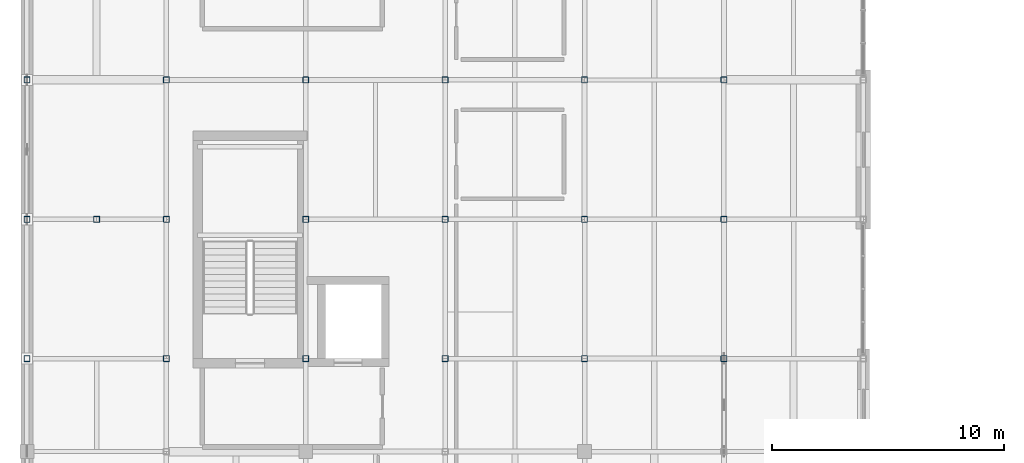
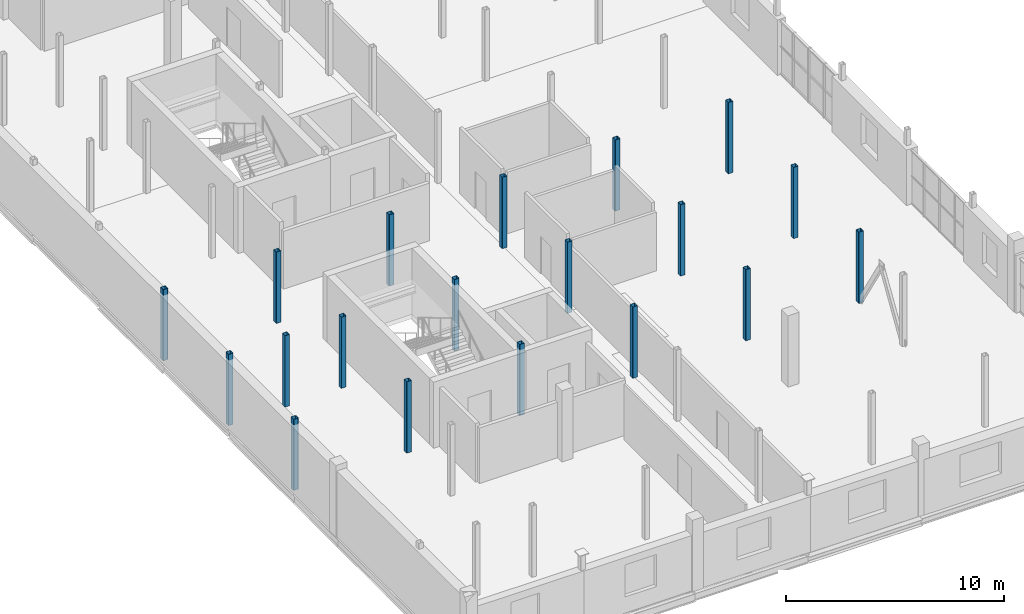
# One storey, part 2 of 35: 19 columns.
"""IFC4 building model written with IfcOpenShell, lengths in metres."""

from ifc_helpers import new_model, si_unit, direction, frame, origin, origin_2d, place, context, subcontext, project, spatial, hollow_rectangle, extrude, material, material_profile, profile_set, type_object, element, save


model = new_model("IFC4")

# Units and contexts
model_context = context("Model", 3, precision=1e-05, world=origin(), true_north=direction((0.0, 1.0)))
body_context = subcontext(model_context, "Body", "Model", "MODEL_VIEW")
ifc_project = project(units=[si_unit("LENGTHUNIT", "METRE"), si_unit("AREAUNIT", "SQUARE_METRE"), si_unit("VOLUMEUNIT", "CUBIC_METRE"), si_unit("PLANEANGLEUNIT", "RADIAN"), si_unit("MASSUNIT", "GRAM", prefix="KILO")], contexts=[model_context])

# Site, building, storey
site_placement = place(None, origin())
site = spatial("IfcSite", under=ifc_project, at=site_placement, CompositionType="ELEMENT")
building_placement = place(site_placement, origin())
building = spatial("IfcBuilding", under=site, at=building_placement, Name="Verrall Gate Interchange", CompositionType="ELEMENT")
storey_placement = place(building_placement, frame((0.0, 0.0, 15.39990234375)))
storey = spatial("IfcBuildingStorey", under=building, at=storey_placement, Name="L04", CompositionType="ELEMENT", Elevation=15.39990234375)

# Columns
ifc_material = material(Name="Structural Steel CSA G40.21 350WT Cat 4", Category="steel")
ifc_material_profile = material_profile(ifc_material, hollow_rectangle(XDim=0.25390625, YDim=0.25390625, WallThickness=0.009521484375, InnerFilletRadius=0.009521484375, OuterFilletRadius=0.01904296875, at=origin_2d()), Name="HSS254x254x9.5")
ifc_profile_set = profile_set([ifc_material_profile], Name="Structural Steel CSA G40.21 350WT Cat 4")
column_type = type_object("IfcColumnType", Name="C-13 Column HSS254x254x9.5", PredefinedType="COLUMN", material=ifc_profile_set)
for number, where, z_axis, x_axis, name in (
    (1, (0.0, 16.0, 0.0), (0.0, 0.0, 1.0), (1.0, 0.0, 0.0), "L04 Column COL-L04-0028 (C-13)"),
    (2, (0.0, 22.0, 0.0), (0.0, 0.0, 1.0), (1.0, 0.0, 0.0), "L04 Column COL-L04-0035 (C-13)"),
    (3, (0.0, 28.0, 0.0), (0.0, 0.0, 1.0), (1.0, 0.0, 0.0), "L04 Column COL-L04-0042 (C-13)"),
    (4, (3.0, 22.0, 0.0), (0.0, 0.0, 1.0), (1.0, 0.0, 0.0), "L04 Column COL-L04-0113 (C-13)"),
    (5, (6.0, 16.0, 0.0), (0.0, 0.0, 1.0), (1.0, 0.0, 0.0), "L04 Column COL-L04-0159 (C-13)"),
    (6, (6.0, 22.0, 0.0), (0.0, 0.0, 1.0), (1.0, 0.0, 0.0), "L04 Column COL-L04-0168 (C-13)"),
    (7, (6.0, 28.0, 0.0), (0.0, 0.0, 1.0), (1.0, 0.0, 0.0), "L04 Column COL-L04-0177 (C-13)"),
    (8, (12.0, 16.0, 0.0), (0.0, 0.0, 1.0), (1.0, 0.0, 0.0), "L04 Column COL-L04-0276 (C-13)"),
    (9, (12.0, 22.0, 0.0), (0.0, 0.0, 1.0), (1.0, 0.0, 0.0), "L04 Column COL-L04-0285 (C-13)"),
    (10, (12.0, 28.0, 0.0), (0.0, 0.0, 1.0), (1.0, 0.0, 0.0), "L04 Column COL-L04-0294 (C-13)"),
    (11, (18.0, 16.0, 0.0), (0.0, 0.0, 1.0), (1.0, 0.0, 0.0), "L04 Column COL-L04-0393 (C-13)"),
    (12, (18.0, 22.0, 0.0), (0.0, 0.0, 1.0), (1.0, 0.0, 0.0), "L04 Column COL-L04-0402 (C-13)"),
    (13, (18.0, 28.0, 0.0), (0.0, 0.0, 1.0), (1.0, 0.0, 0.0), "L04 Column COL-L04-0411 (C-13)"),
    (14, (24.0, 16.0, 0.0), (0.0, 0.0, 1.0), (1.0, 0.0, 0.0), "L04 Column COL-L04-0510 (C-13)"),
    (15, (24.0, 22.0, 0.0), (0.0, 0.0, 1.0), (1.0, 0.0, 0.0), "L04 Column COL-L04-0519 (C-13)"),
    (16, (24.0, 28.0, 0.0), (0.0, 0.0, 1.0), (1.0, 0.0, 0.0), "L04 Column COL-L04-0528 (C-13)"),
    (17, (30.0, 16.0, 0.0), (0.0, 0.0, 1.0), (1.0, 0.0, 0.0), "L04 Column COL-L04-0627 (C-13)"),
    (18, (30.0, 22.0, 0.0), (0.0, 0.0, 1.0), (1.0, 0.0, 0.0), "L04 Column COL-L04-0636 (C-13)"),
    (19, (30.0, 28.0, 0.0), (0.0, 0.0, 1.0), (1.0, 0.0, 0.0), "L04 Column COL-L04-0645 (C-13)"),
):
    element("IfcColumn", number, at=place(storey_placement, frame(where, z_axis=z_axis, x_axis=x_axis)), inside=storey, type_object=column_type, Name=name, PredefinedType="COLUMN", context=body_context, shape_type="SweptSolid", body=[
        extrude(hollow_rectangle(XDim=0.25390625, YDim=0.25390625, WallThickness=0.009521484375, InnerFilletRadius=0.009521484375, OuterFilletRadius=0.01904296875, at=origin_2d()), origin(), (0.0, 0.0, 1.0), 4.0),
    ])

save(model, "model.ifc")
